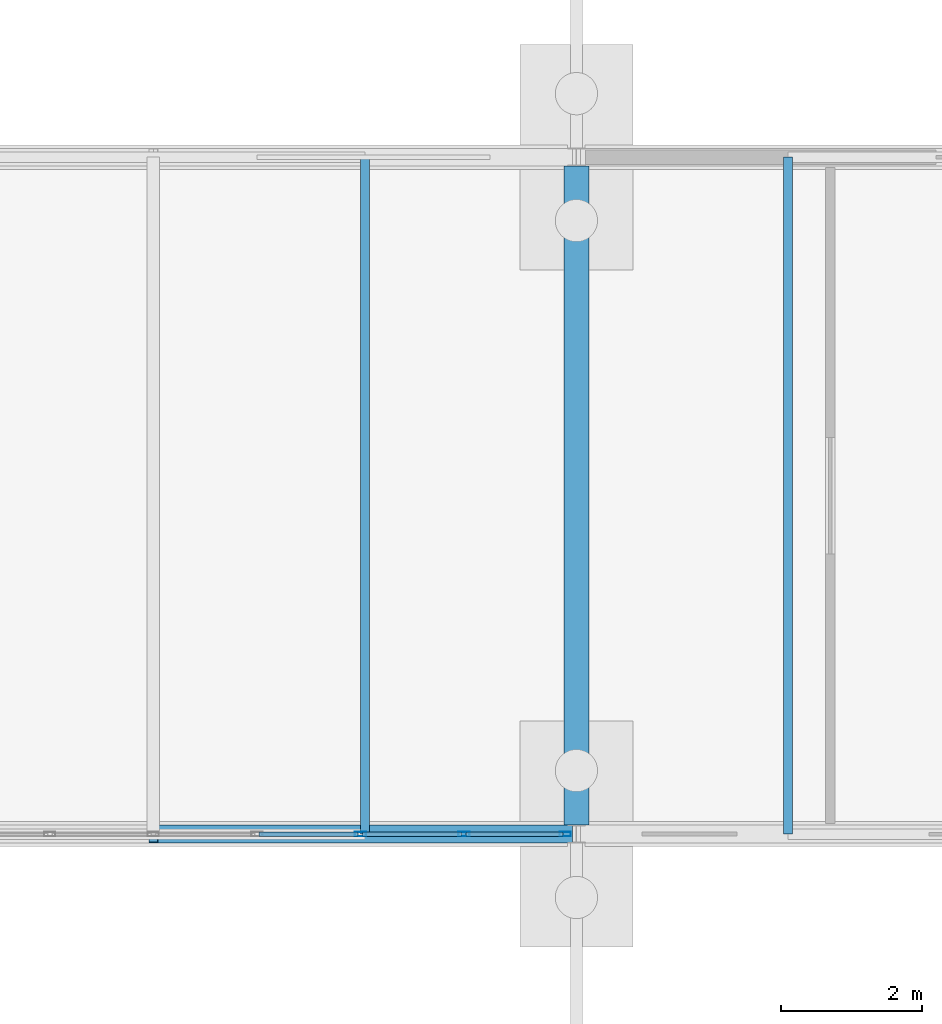
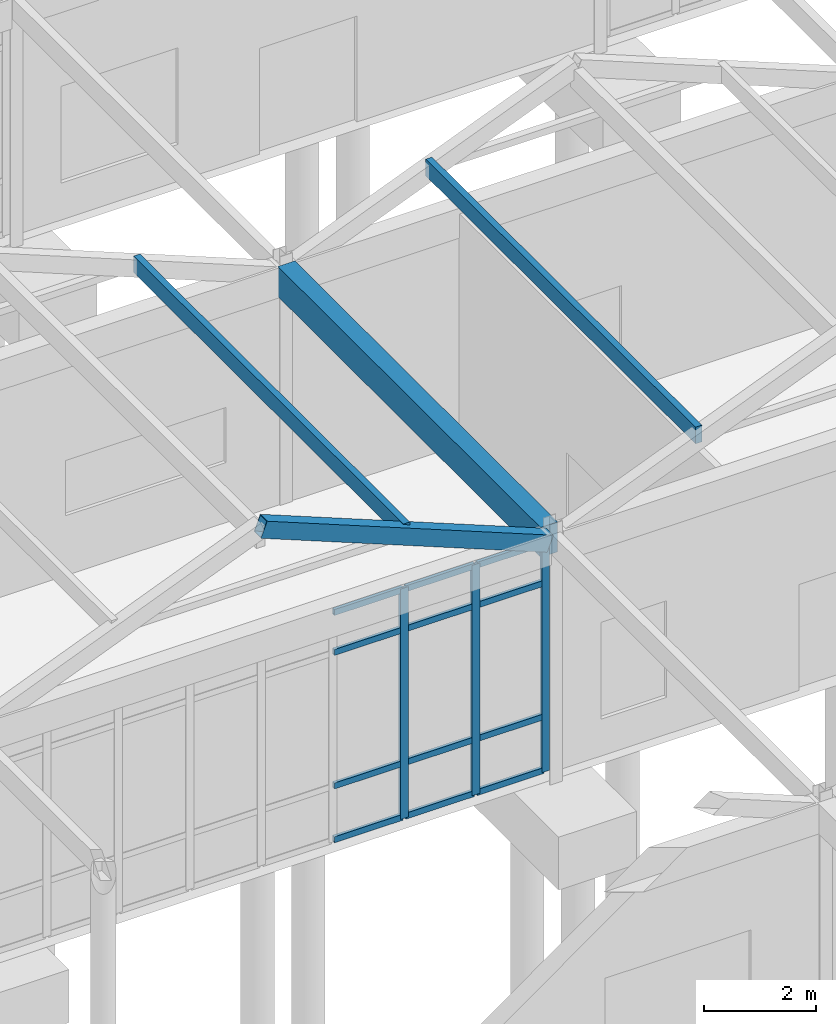
# One storey, part 43 of 188: 18 members, 1 beam, 1 element without a shape of its own.
"""IFC4 building model written with IfcOpenShell, lengths in metres."""

import ifcopenshell
import ifcopenshell.guid

model = None  # the IFC model being written
_history = None  # IfcOwnerHistory: only IFC2X3 demands one
_inside = {}  # id of a spatial element -> (the spatial element, [elements in it])
_under = {}  # id of a project, library or spatial element -> (it, [spatial elements below it])
_declared = {}  # id of a project -> (the project, [libraries it declares])
_typed = {}  # id of a type object -> (the type object, [elements of that type])
_made_of = {}  # id of a material, layer set ... -> (it, [elements and type objects made of it])


def new_model(schema):
    """Start an empty IFC model of exactly this schema.

    Asked for "IFC4X3", IfcOpenShell would pick the latest addendum, in which some entities
    have other attributes; the version numbers below select the first issue.
    IFC2X3 requires an IfcOwnerHistory on every rooted entity: one is made here for all.
    """
    global model, _history
    if schema == "IFC4X3":
        model = ifcopenshell.file(schema_version=(4, 3, 0, 0))
    else:
        model = ifcopenshell.file(schema=schema)
    _inside.clear()
    _under.clear()
    _declared.clear()
    _typed.clear()
    _made_of.clear()
    _history = None
    if model.schema == "IFC2X3":
        org = make("IfcOrganization", Name="unknown")
        user = make(
            "IfcPersonAndOrganization",
            ThePerson=make("IfcPerson", FamilyName="unknown"),
            TheOrganization=org,
        )
        app = make(
            "IfcApplication",
            ApplicationDeveloper=org,
            Version="unknown",
            ApplicationFullName="unknown",
            ApplicationIdentifier="unknown",
        )
        _history = make(
            "IfcOwnerHistory",
            OwningUser=user,
            OwningApplication=app,
            ChangeAction="ADDED",
            CreationDate=0,
        )
    return model


def make(cls, **values):
    """One entity of the class cls with the attributes given. An attribute that is None is left unset."""
    return model.create_entity(
        cls, **{name: value for name, value in values.items() if value is not None}
    )


def rooted(cls, **values):
    """An entity with a GlobalId (a new one), such as an element, a storey or a relation."""
    return make(cls, GlobalId=ifcopenshell.guid.new(), OwnerHistory=_history, **values)


def si_unit(unit_type, name, prefix=None):
    """IfcSIUnit, for example si_unit("LENGTHUNIT", "METRE", prefix="MILLI")."""
    return make("IfcSIUnit", UnitType=unit_type, Prefix=prefix, Name=name)


def assignment(units):
    """IfcUnitAssignment: the units of a project."""
    return None if units is None else make("IfcUnitAssignment", Units=units)


def point(xyz):
    """IfcCartesianPoint."""
    return None if xyz is None else make("IfcCartesianPoint", Coordinates=xyz)


def direction(xyz):
    """IfcDirection."""
    return None if xyz is None else make("IfcDirection", DirectionRatios=xyz)


def frame(location, z_axis=None, x_axis=None):
    """IfcAxis2Placement3D, a coordinate frame: its origin and axes. An axis left out is left unset."""
    return make(
        "IfcAxis2Placement3D",
        Location=point(location),
        Axis=direction(z_axis),
        RefDirection=direction(x_axis),
    )


def frame_2d(location, x_axis=None):
    """IfcAxis2Placement2D, a coordinate frame in the plane: its origin and x axis."""
    return make(
        "IfcAxis2Placement2D", Location=point(location), RefDirection=direction(x_axis)
    )


def origin():
    """The frame at (0, 0, 0) with its axes left unset."""
    return frame((0.0, 0.0, 0.0))


def origin_2d():
    """The frame at (0, 0) in the plane with its x axis left unset."""
    return frame_2d((0.0, 0.0))


def place(relative_to, where):
    """IfcLocalPlacement: puts the frame where relative to a parent placement (None: the world)."""
    return make(
        "IfcLocalPlacement", PlacementRelTo=relative_to, RelativePlacement=where
    )


def context(
    kind, dimensions, precision=None, world=None, true_north=None, identifier=None
):
    """IfcGeometricRepresentationContext, for example the 3D "Model" context."""
    return make(
        "IfcGeometricRepresentationContext",
        ContextIdentifier=identifier,
        ContextType=kind,
        CoordinateSpaceDimension=dimensions,
        Precision=precision,
        WorldCoordinateSystem=world,
        TrueNorth=true_north,
    )


def subcontext(parent, identifier, kind, view, scale=None):
    """IfcGeometricRepresentationSubContext, for example "Body" below "Model"."""
    return make(
        "IfcGeometricRepresentationSubContext",
        ContextIdentifier=identifier,
        ContextType=kind,
        ParentContext=parent,
        TargetScale=scale,
        TargetView=view,
    )


def project(units=None, contexts=None):
    """IfcProject with its units and contexts."""
    return rooted(
        "IfcProject",
        Name="project",
        RepresentationContexts=contexts,
        UnitsInContext=assignment(units),
    )


def spatial(cls, under=None, at=None, **own):
    """A site, building, storey or space (cls), placed at a placement, below another one or the project."""
    s = rooted(cls, ObjectPlacement=at, **own)
    if under is not None:
        _under.setdefault(under.id(), (under, []))[1].append(s)
    return s


def profile(cls, at=None, kind="AREA", **sizes):
    """A parametric profile (cls). Its sizes go by their IFC names, for example OverallWidth=200.0."""
    return make(cls, ProfileType=kind, Position=at, **sizes)


def rectangle(**sizes):
    """IfcRectangleProfileDef."""
    return profile("IfcRectangleProfileDef", **sizes)


def hollow_rectangle(**sizes):
    """IfcRectangleHollowProfileDef."""
    return profile("IfcRectangleHollowProfileDef", **sizes)


def extrude(swept, where, along, depth):
    """IfcExtrudedAreaSolid: the profile swept, set in the frame where, extruded along a direction by depth."""
    return make(
        "IfcExtrudedAreaSolid",
        SweptArea=swept,
        Position=where,
        ExtrudedDirection=direction(along),
        Depth=depth,
    )


def shape(context_of_items, identifier, shape_type, items):
    """IfcShapeRepresentation: the items that make up one representation, for example the "Body"."""
    return make(
        "IfcShapeRepresentation",
        ContextOfItems=context_of_items,
        RepresentationIdentifier=identifier,
        RepresentationType=shape_type,
        Items=items,
    )


def material(Name=None, Category=None):
    """IfcMaterial."""
    return make("IfcMaterial", Name=Name, Category=Category)


def layer(
    of_material, thickness, ventilated=None, Name=None, Category=None, Priority=None
):
    """IfcMaterialLayer: one layer of a wall or slab, of a material (None: an air gap)."""
    return make(
        "IfcMaterialLayer",
        Material=of_material,
        LayerThickness=thickness,
        IsVentilated=ventilated,
        Name=Name,
        Category=Category,
        Priority=Priority,
    )


def layer_set(layers, Name=None):
    """IfcMaterialLayerSet."""
    return make("IfcMaterialLayerSet", MaterialLayers=layers, LayerSetName=Name)


def material_profile(
    of_material, cross_section, Name=None, Category=None, Priority=None
):
    """IfcMaterialProfile: a cross section and its material."""
    return make(
        "IfcMaterialProfile",
        Name=Name,
        Material=of_material,
        Profile=cross_section,
        Priority=Priority,
        Category=Category,
    )


def profile_set(profiles, Name=None, composite=None):
    """IfcMaterialProfileSet."""
    return make(
        "IfcMaterialProfileSet",
        Name=Name,
        MaterialProfiles=profiles,
        CompositeProfile=composite,
    )


def made_of(thing, what):
    """Note that an element or type object is made of a material, layer set ...; save() writes the relation."""
    if what is not None:
        _made_of.setdefault(what.id(), (what, []))[1].append(thing)
    return thing


def type_object(cls, material=None, **own):
    """A type object (cls), such as IfcWallType, which elements share."""
    return made_of(rooted(cls, **own), material)


def element(
    cls,
    number,
    at=None,
    inside=None,
    cuts=None,
    type_object=None,
    material=None,
    context=None,
    identifier="Body",
    shape_type=None,
    held_by="IfcProductDefinitionShape",
    body=None,
    shapes=None,
    **own,
):
    """One element of the class cls, such as IfcWall. Its Tag is "e" and its number.

    at: its placement. inside: the storey or other place that contains it. cuts: it is an
    opening in that element (IfcRelVoidsElement). A single representation is given by context,
    identifier, shape_type and body (its items); several are given by shapes. held_by: the class
    of the entity that holds the representations. save() writes the other relations.
    """
    e = rooted(cls, Tag="e%d" % number, ObjectPlacement=at, **own)
    if body is not None:
        shapes = [shape(context, identifier, shape_type, body)]
    if shapes is not None:
        e.Representation = make(held_by, Representations=shapes)
    if inside is not None:
        _inside.setdefault(inside.id(), (inside, []))[1].append(e)
    if cuts is not None:
        rooted(
            "IfcRelVoidsElement", RelatingBuildingElement=cuts, RelatedOpeningElement=e
        )
    if type_object is not None:
        _typed.setdefault(type_object.id(), (type_object, []))[1].append(e)
    return made_of(e, material)


def aggregate(whole, parts):
    """IfcRelAggregates: a whole, such as a stair, and the parts it consists of."""
    return rooted("IfcRelAggregates", RelatingObject=whole, RelatedObjects=parts)


def save(model, path):
    """Write the relations noted so far, then the file.

    IfcRelAggregates (storeys below a building ...), IfcRelContainedInSpatialStructure (elements
    in a storey), IfcRelDefinesByType, IfcRelAssociatesMaterial and IfcRelDeclares: one each for
    every whole, place, type object, material and project.
    """
    for whole, parts in _under.values():
        aggregate(whole, parts)
    for where, things in _inside.values():
        rooted(
            "IfcRelContainedInSpatialStructure",
            RelatedElements=things,
            RelatingStructure=where,
        )
    for kind, things in _typed.values():
        rooted("IfcRelDefinesByType", RelatedObjects=things, RelatingType=kind)
    for what, things in _made_of.values():
        rooted("IfcRelAssociatesMaterial", RelatedObjects=things, RelatingMaterial=what)
    for by, libraries in _declared.values():
        rooted("IfcRelDeclares", RelatingContext=by, RelatedDefinitions=libraries)
    model.write(path)


model = new_model("IFC4")

# Units and contexts
model_context = context("Model", 3, precision=1e-05, world=origin(), true_north=direction((0.0, 1.0)))
body_context = subcontext(model_context, "Body", "Model", "MODEL_VIEW")
ifc_project = project(units=[si_unit("LENGTHUNIT", "METRE"), si_unit("AREAUNIT", "SQUARE_METRE"), si_unit("VOLUMEUNIT", "CUBIC_METRE"), si_unit("PLANEANGLEUNIT", "RADIAN"), si_unit("MASSUNIT", "GRAM", prefix="KILO")], contexts=[model_context])

# Site, building, storey
site_placement = place(None, origin())
site = spatial("IfcSite", under=ifc_project, at=site_placement, CompositionType="ELEMENT")
building_placement = place(site_placement, origin())
building = spatial("IfcBuilding", under=site, at=building_placement, Name="Pandanus Reach Market Hall", CompositionType="ELEMENT")
storey_placement = place(building_placement, origin())
storey = spatial("IfcBuildingStorey", under=building, at=storey_placement, Name="L00", CompositionType="ELEMENT", Elevation=0.0)

# Beam
ifc_material_1 = material(Name="Concrete N40 (40 MPa)", Category="concrete")
ifc_material_profile_1 = material_profile(ifc_material_1, rectangle(XDim=0.35009765625, YDim=0.64990234375, at=origin_2d()), Name="RC350x650", Category="LoadBearing")
ifc_profile_set_1 = profile_set([ifc_material_profile_1], Name="Concrete N40 (40 MPa)")
beam_type = type_object("IfcBeamType", Name="BM-RC350-E", PredefinedType="SPANDREL", material=ifc_profile_set_1)
beam_placement = place(storey_placement, frame((12.0, 57.72509765625, 4.8798828125), z_axis=(0.0, 1.0, 0.0), x_axis=(-1.0, 0.0, 0.0)))
element("IfcBeam", 1, at=beam_placement, inside=storey, type_object=beam_type, Name="Framing beam BM-RC350-E L00.1163", PredefinedType="SPANDREL", context=body_context, shape_type="SweptSolid", body=[
    extrude(rectangle(XDim=0.35009765625, YDim=0.64990234375, at=origin_2d()), origin(), (0.0, 0.0, 1.0), 9.349853515625),
])

# Curtain wall, members
ifc_material_2 = material(Name="Bronze anodised aluminium and low-E glass", Category="aluminium")
ifc_layer = layer(ifc_material_2, 0.159912109375, Name="CW-07")
ifc_layer_set = layer_set([ifc_layer], Name="Bronze anodised aluminium and low-E glass")
curtain_wall_type = type_object("IfcCurtainWallType", Name="CW-07", PredefinedType="NOTDEFINED", material=ifc_layer_set)
curtain_wall_placement = place(storey_placement, origin())
curtain_wall = element("IfcCurtainWall", 2, at=curtain_wall_placement, inside=storey, type_object=curtain_wall_type, Name="Glazed curtain wall CW-07 CW-0041", PredefinedType="NOTDEFINED")
ifc_material_3 = material(Name="Bronze anodised aluminium", Category="aluminium")
ifc_material_profile_2 = material_profile(ifc_material_3, hollow_rectangle(XDim=0.06494140625, YDim=0.159912109375, WallThickness=0.00390625, at=origin_2d()), Name="ALU65x160", Category="LoadBearing")
ifc_profile_set_2 = profile_set([ifc_material_profile_2], Name="Bronze anodised aluminium")
member_type_1 = type_object("IfcMemberType", Name="CW-M1", PredefinedType="MULLION", material=ifc_profile_set_2)
member_1_placement = place(storey_placement, frame((8.9365234375, 57.60009765625, 0.0), z_axis=(0.0, 0.0, 1.0), x_axis=(0.0, 1.0, 0.0)))
member_1 = element("IfcMember", 3, at=member_1_placement, type_object=member_type_1, Name="CW-07 mullion 7", PredefinedType="MULLION", context=body_context, shape_type="SweptSolid", body=[
    extrude(hollow_rectangle(XDim=0.06494140625, YDim=0.159912109375, WallThickness=0.00390625, at=origin_2d()), origin(), (0.0, 0.0, 1.0), 5.0),
])
member_2_placement = place(storey_placement, frame((10.40478515625, 57.60009765625, 0.0), z_axis=(0.0, 0.0, 1.0), x_axis=(0.0, 1.0, 0.0)))
member_2 = element("IfcMember", 4, at=member_2_placement, type_object=member_type_1, Name="CW-07 mullion 8", PredefinedType="MULLION", context=body_context, shape_type="SweptSolid", body=[
    extrude(hollow_rectangle(XDim=0.06494140625, YDim=0.159912109375, WallThickness=0.00390625, at=origin_2d()), origin(), (0.0, 0.0, 1.0), 5.0),
])
member_3_placement = place(storey_placement, frame((11.840576171875, 57.60009765625, 0.0), z_axis=(0.0, 0.0, 1.0), x_axis=(0.0, 1.0, 0.0)))
member_3 = element("IfcMember", 5, at=member_3_placement, type_object=member_type_1, Name="CW-07 mullion 9", PredefinedType="MULLION", context=body_context, shape_type="SweptSolid", body=[
    extrude(hollow_rectangle(XDim=0.06494140625, YDim=0.159912109375, WallThickness=0.00390625, at=origin_2d()), origin(), (0.0, 0.0, 1.0), 5.0),
])
ifc_material_profile_3 = material_profile(ifc_material_3, hollow_rectangle(XDim=0.06494140625, YDim=0.1298828125, WallThickness=0.00390625, at=origin_2d()), Name="ALU65x130", Category="LoadBearing")
ifc_profile_set_3 = profile_set([ifc_material_profile_3], Name="Bronze anodised aluminium")
member_type_2 = type_object("IfcMemberType", Name="CW-T1", PredefinedType="USERDEFINED", material=ifc_profile_set_3)
member_4_placement = place(storey_placement, frame((7.500732421875, 57.60009765625, 0.032470703125), z_axis=(1.0, 0.0, 0.0), x_axis=(0.0, 1.0, 0.0)))
member_4 = element("IfcMember", 6, at=member_4_placement, type_object=member_type_2, Name="CW-07 transom 6.1", ObjectType="TRANSOM", PredefinedType="USERDEFINED", context=body_context, shape_type="SweptSolid", body=[
    extrude(hollow_rectangle(XDim=0.06494140625, YDim=0.1298828125, WallThickness=0.00390625, at=origin_2d()), origin(), (0.0, 0.0, 1.0), 1.4033203125),
])
member_5_placement = place(storey_placement, frame((7.500732421875, 57.60009765625, 1.199951171875), z_axis=(1.0, 0.0, 0.0), x_axis=(0.0, 1.0, 0.0)))
member_5 = element("IfcMember", 7, at=member_5_placement, type_object=member_type_2, Name="CW-07 transom 6.2", ObjectType="TRANSOM", PredefinedType="USERDEFINED", context=body_context, shape_type="SweptSolid", body=[
    extrude(hollow_rectangle(XDim=0.06494140625, YDim=0.1298828125, WallThickness=0.00390625, at=origin_2d()), origin(), (0.0, 0.0, 1.0), 1.4033203125),
])
member_6_placement = place(storey_placement, frame((7.500732421875, 57.60009765625, 4.10009765625), z_axis=(1.0, 0.0, 0.0), x_axis=(0.0, 1.0, 0.0)))
member_6 = element("IfcMember", 8, at=member_6_placement, type_object=member_type_2, Name="CW-07 transom 6.3", ObjectType="TRANSOM", PredefinedType="USERDEFINED", context=body_context, shape_type="SweptSolid", body=[
    extrude(hollow_rectangle(XDim=0.06494140625, YDim=0.1298828125, WallThickness=0.00390625, at=origin_2d()), origin(), (0.0, 0.0, 1.0), 1.4033203125),
])
member_7_placement = place(storey_placement, frame((7.500732421875, 57.60009765625, 4.967529296875), z_axis=(1.0, 0.0, 0.0), x_axis=(0.0, 1.0, 0.0)))
member_7 = element("IfcMember", 9, at=member_7_placement, type_object=member_type_2, Name="CW-07 transom 6.4", ObjectType="TRANSOM", PredefinedType="USERDEFINED", context=body_context, shape_type="SweptSolid", body=[
    extrude(hollow_rectangle(XDim=0.06494140625, YDim=0.1298828125, WallThickness=0.00390625, at=origin_2d()), origin(), (0.0, 0.0, 1.0), 1.4033203125),
])
member_8_placement = place(storey_placement, frame((8.968994140625, 57.60009765625, 0.032470703125), z_axis=(1.0, 0.0, 0.0), x_axis=(0.0, 1.0, 0.0)))
member_8 = element("IfcMember", 10, at=member_8_placement, type_object=member_type_2, Name="CW-07 transom 7.1", ObjectType="TRANSOM", PredefinedType="USERDEFINED", context=body_context, shape_type="SweptSolid", body=[
    extrude(hollow_rectangle(XDim=0.06494140625, YDim=0.1298828125, WallThickness=0.00390625, at=origin_2d()), origin(), (0.0, 0.0, 1.0), 1.4033203125),
])
member_9_placement = place(storey_placement, frame((8.968994140625, 57.60009765625, 1.199951171875), z_axis=(1.0, 0.0, 0.0), x_axis=(0.0, 1.0, 0.0)))
member_9 = element("IfcMember", 11, at=member_9_placement, type_object=member_type_2, Name="CW-07 transom 7.2", ObjectType="TRANSOM", PredefinedType="USERDEFINED", context=body_context, shape_type="SweptSolid", body=[
    extrude(hollow_rectangle(XDim=0.06494140625, YDim=0.1298828125, WallThickness=0.00390625, at=origin_2d()), origin(), (0.0, 0.0, 1.0), 1.4033203125),
])
member_10_placement = place(storey_placement, frame((8.968994140625, 57.60009765625, 4.10009765625), z_axis=(1.0, 0.0, 0.0), x_axis=(0.0, 1.0, 0.0)))
member_10 = element("IfcMember", 12, at=member_10_placement, type_object=member_type_2, Name="CW-07 transom 7.3", ObjectType="TRANSOM", PredefinedType="USERDEFINED", context=body_context, shape_type="SweptSolid", body=[
    extrude(hollow_rectangle(XDim=0.06494140625, YDim=0.1298828125, WallThickness=0.00390625, at=origin_2d()), origin(), (0.0, 0.0, 1.0), 1.4033203125),
])
member_11_placement = place(storey_placement, frame((8.968994140625, 57.60009765625, 4.967529296875), z_axis=(1.0, 0.0, 0.0), x_axis=(0.0, 1.0, 0.0)))
member_11 = element("IfcMember", 13, at=member_11_placement, type_object=member_type_2, Name="CW-07 transom 7.4", ObjectType="TRANSOM", PredefinedType="USERDEFINED", context=body_context, shape_type="SweptSolid", body=[
    extrude(hollow_rectangle(XDim=0.06494140625, YDim=0.1298828125, WallThickness=0.00390625, at=origin_2d()), origin(), (0.0, 0.0, 1.0), 1.4033203125),
])
member_12_placement = place(storey_placement, frame((10.437255859375, 57.60009765625, 0.032470703125), z_axis=(1.0, 0.0, 0.0), x_axis=(0.0, 1.0, 0.0)))
member_12 = element("IfcMember", 14, at=member_12_placement, type_object=member_type_2, Name="CW-07 transom 8.1", ObjectType="TRANSOM", PredefinedType="USERDEFINED", context=body_context, shape_type="SweptSolid", body=[
    extrude(hollow_rectangle(XDim=0.06494140625, YDim=0.1298828125, WallThickness=0.00390625, at=origin_2d()), origin(), (0.0, 0.0, 1.0), 1.370849609375),
])
member_13_placement = place(storey_placement, frame((10.437255859375, 57.60009765625, 1.199951171875), z_axis=(1.0, 0.0, 0.0), x_axis=(0.0, 1.0, 0.0)))
member_13 = element("IfcMember", 15, at=member_13_placement, type_object=member_type_2, Name="CW-07 transom 8.2", ObjectType="TRANSOM", PredefinedType="USERDEFINED", context=body_context, shape_type="SweptSolid", body=[
    extrude(hollow_rectangle(XDim=0.06494140625, YDim=0.1298828125, WallThickness=0.00390625, at=origin_2d()), origin(), (0.0, 0.0, 1.0), 1.370849609375),
])
member_14_placement = place(storey_placement, frame((10.437255859375, 57.60009765625, 4.10009765625), z_axis=(1.0, 0.0, 0.0), x_axis=(0.0, 1.0, 0.0)))
member_14 = element("IfcMember", 16, at=member_14_placement, type_object=member_type_2, Name="CW-07 transom 8.3", ObjectType="TRANSOM", PredefinedType="USERDEFINED", context=body_context, shape_type="SweptSolid", body=[
    extrude(hollow_rectangle(XDim=0.06494140625, YDim=0.1298828125, WallThickness=0.00390625, at=origin_2d()), origin(), (0.0, 0.0, 1.0), 1.370849609375),
])
member_15_placement = place(storey_placement, frame((10.437255859375, 57.60009765625, 4.967529296875), z_axis=(1.0, 0.0, 0.0), x_axis=(0.0, 1.0, 0.0)))
member_15 = element("IfcMember", 17, at=member_15_placement, type_object=member_type_2, Name="CW-07 transom 8.4", ObjectType="TRANSOM", PredefinedType="USERDEFINED", context=body_context, shape_type="SweptSolid", body=[
    extrude(hollow_rectangle(XDim=0.06494140625, YDim=0.1298828125, WallThickness=0.00390625, at=origin_2d()), origin(), (0.0, 0.0, 1.0), 1.370849609375),
])
aggregate(curtain_wall, [member_1, member_2, member_3, member_4, member_5, member_6, member_7, member_8, member_9, member_10, member_11, member_12, member_13, member_14, member_15])

# Members
ifc_material_4 = material(Name="Glulam timber GL17", Category="wood")
ifc_material_profile_4 = material_profile(ifc_material_4, rectangle(XDim=0.1298828125, YDim=0.360107421875, at=origin_2d()), Name="GL130x360", Category="LoadBearing")
ifc_profile_set_4 = profile_set([ifc_material_profile_4], Name="Glulam timber GL17")
member_type_3 = type_object("IfcMemberType", Name="PR-GL130-E", PredefinedType="PURLIN", material=ifc_profile_set_4)
for number, where, z_axis, x_axis, name in (
    (18, (9.0, 57.60009765625, 6.189697265625), (0.0, 1.0, 0.0), (-1.0, 0.0, 0.0), "Gable slope glulam purlin R2.B1E"),
    (19, (15.0, 57.60009765625, 6.189697265625), (0.0, 1.0, 0.0), (-1.0, 0.0, 0.0), "Gable slope glulam purlin R2.B2W"),
):
    element("IfcMember", number, at=place(storey_placement, frame(where, z_axis=z_axis, x_axis=x_axis)), inside=storey, type_object=member_type_3, Name=name, PredefinedType="PURLIN", context=body_context, shape_type="SweptSolid", body=[
        extrude(rectangle(XDim=0.1298828125, YDim=0.360107421875, at=origin_2d()), origin(), (0.0, 0.0, 1.0), 9.599853515625),
    ])
ifc_material_5 = material(Name="Steel Grade 350 (350 MPa)", Category="steel")
ifc_material_profile_5 = material_profile(ifc_material_5, hollow_rectangle(XDim=0.25, YDim=0.35009765625, WallThickness=0.012451171875, at=origin_2d()), Name="350x250x12.5RHS", Category="LoadBearing")
ifc_profile_set_5 = profile_set([ifc_material_profile_5], Name="Steel Grade 350 (350 MPa)")
member_type_4 = type_object("IfcMemberType", Name="RF-RHS350-E", PredefinedType="RAFTER", material=ifc_profile_set_5)
member_16_placement = place(storey_placement, frame((6.0, 57.60009765625, 7.3486328125), z_axis=(0.927845665363, 0.0, -0.372964369971), x_axis=(0.0, 1.0, 0.0)))
element("IfcMember", 20, at=member_16_placement, inside=storey, type_object=member_type_4, Name="Steep gable rafter R2.B1E", PredefinedType="RAFTER", context=body_context, shape_type="SweptSolid", body=[
    extrude(hollow_rectangle(XDim=0.25, YDim=0.35009765625, WallThickness=0.012451171875, at=origin_2d()), origin(), (0.0, 0.0, 1.0), 6.337158203125),
])

save(model, "model.ifc")
